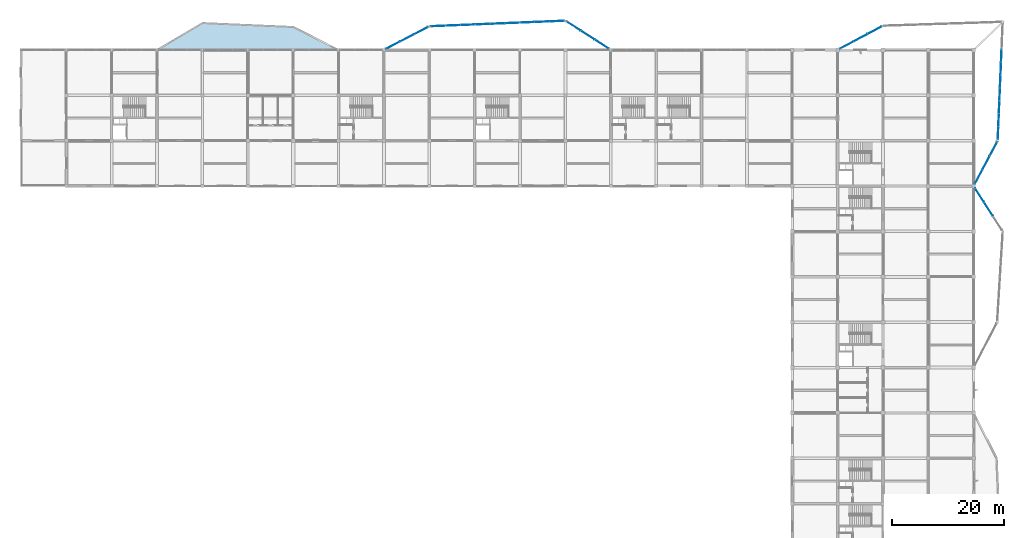
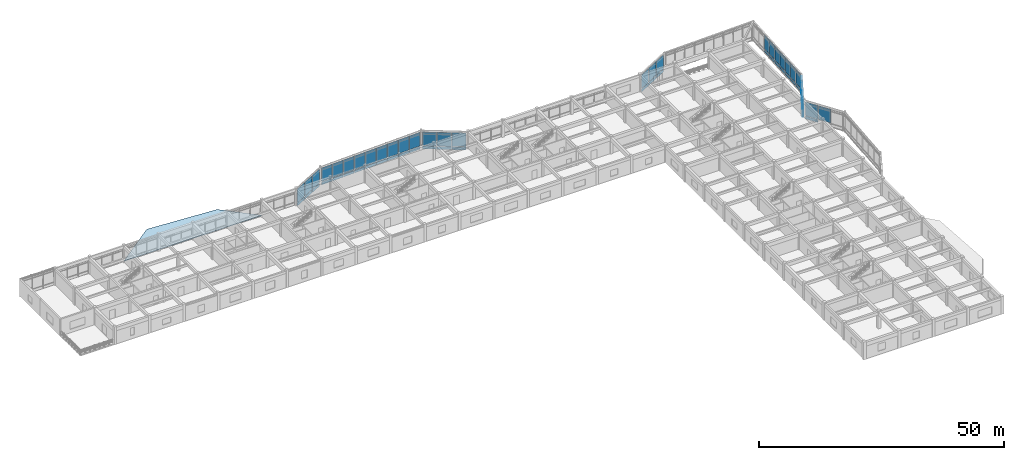
# One storey, part 25 of 42: 59 plates, 1 slab, 11 elements without a shape of their own.
"""IFC4 building model written with IfcOpenShell, lengths in metres."""

from ifc_helpers import new_model, si_unit, direction, frame, origin, origin_2d, place, context, subcontext, project, spatial, polyline, rectangle, outline, extrude, material, layer, layer_set, type_object, element, aggregate, save


model = new_model("IFC4")

# Units and contexts
model_context = context("Model", 3, precision=1e-05, world=origin(), true_north=direction((0.0, 1.0)))
body_context = subcontext(model_context, "Body", "Model", "MODEL_VIEW")
ifc_project = project(units=[si_unit("LENGTHUNIT", "METRE"), si_unit("AREAUNIT", "SQUARE_METRE"), si_unit("VOLUMEUNIT", "CUBIC_METRE"), si_unit("PLANEANGLEUNIT", "RADIAN"), si_unit("MASSUNIT", "GRAM", prefix="KILO")], contexts=[model_context])

# Site, building, storey
site_placement = place(None, origin())
site = spatial("IfcSite", under=ifc_project, at=site_placement, CompositionType="ELEMENT")
building_placement = place(site_placement, origin())
building = spatial("IfcBuilding", under=site, at=building_placement, Name="Vaudrelin Polytechnic", CompositionType="ELEMENT")
storey_placement = place(building_placement, frame((0.0, 0.0, 18.530029296875)))
storey = spatial("IfcBuildingStorey", under=building, at=storey_placement, Name="L04", CompositionType="ELEMENT", Elevation=18.530029296875)

# Curtain wall, plates
ifc_material_1 = material(Name="Thermally broken anodised aluminium AA 6063-T6 and low-e triple glazing", Category="aluminium")
ifc_layer_1 = layer(ifc_material_1, 0.199951171875)
ifc_layer_set_1 = layer_set([ifc_layer_1], Name="Thermally broken anodised aluminium AA 6063-T6 and low-e triple glazing")
curtain_wall_type_1 = type_object("IfcCurtainWallType", Name="CW-CW-LAB", PredefinedType="USERDEFINED", material=ifc_layer_set_1)
curtain_wall_1_placement = place(storey_placement, origin())
curtain_wall_1 = element("IfcCurtainWall", 1, at=curtain_wall_1_placement, inside=storey, type_object=curtain_wall_type_1, Name="Curtain wall L04 NEP_1_0", ObjectType="CURTAIN WALL", PredefinedType="USERDEFINED")
ifc_material_2 = material(Name="Insulated ceramic-frit spandrel glass panel", Category="glass")
ifc_layer_2 = layer(ifc_material_2, 0.052001953125)
ifc_layer_set_2 = layer_set([ifc_layer_2], Name="Insulated ceramic-frit spandrel glass panel")
plate_type_1 = type_object("IfcPlateType", Name="PLT-GLZ-SPAND", PredefinedType="CURTAIN_PANEL", material=ifc_layer_set_2)
plate_1_placement = place(storey_placement, frame((147.445556640625, 122.37353515625, -0.5400390625), z_axis=(0.0, 0.0, 1.0), x_axis=(0.883255715395, 0.468891609246, 0.0)))
plate_1 = element("IfcPlate", 2, at=plate_1_placement, type_object=plate_type_1, Name="NEP_1_0 spandrel panel 1", PredefinedType="CURTAIN_PANEL", context=body_context, shape_type="SweptSolid", body=[
    extrude(rectangle(XDim=2.719970703125, YDim=0.052001953125, at=origin_2d()), origin(), (0.0, 0.0, 1.0), 0.699951171875),
])
plate_2_placement = place(storey_placement, frame((149.936279296875, 123.69580078125, -0.5400390625), z_axis=(0.0, 0.0, 1.0), x_axis=(0.883255715395, 0.468891609246, 0.0)))
plate_2 = element("IfcPlate", 3, at=plate_2_placement, type_object=plate_type_1, Name="NEP_1_0 spandrel panel 2", PredefinedType="CURTAIN_PANEL", context=body_context, shape_type="SweptSolid", body=[
    extrude(rectangle(XDim=2.719970703125, YDim=0.052001953125, at=origin_2d()), origin(), (0.0, 0.0, 1.0), 0.699951171875),
])
plate_3_placement = place(storey_placement, frame((152.427001953125, 125.01806640625, -0.5400390625), z_axis=(0.0, 0.0, 1.0), x_axis=(0.883255715395, 0.468891609246, 0.0)))
plate_3 = element("IfcPlate", 4, at=plate_3_placement, type_object=plate_type_1, Name="NEP_1_0 spandrel panel 3", PredefinedType="CURTAIN_PANEL", context=body_context, shape_type="SweptSolid", body=[
    extrude(rectangle(XDim=2.719970703125, YDim=0.052001953125, at=origin_2d()), origin(), (0.0, 0.0, 1.0), 0.699951171875),
])

# Curtain wall, plate
curtain_wall_2_placement = place(storey_placement, origin())
curtain_wall_2 = element("IfcCurtainWall", 5, at=curtain_wall_2_placement, inside=storey, type_object=curtain_wall_type_1, Name="Curtain wall L04 NEP_3_0", ObjectType="CURTAIN WALL", PredefinedType="USERDEFINED")
plate_4_placement = place(storey_placement, frame((175.0439453125, 120.468994140625, -0.5400390625), z_axis=(0.0, 0.0, 1.0), x_axis=(-0.042419882824, -0.999099871655, 0.0)))
plate_4 = element("IfcPlate", 6, at=plate_4_placement, type_object=plate_type_1, Name="NEP_3_0 spandrel panel 3", PredefinedType="CURTAIN_PANEL", context=body_context, shape_type="SweptSolid", body=[
    extrude(rectangle(XDim=2.19921875, YDim=0.052001953125, at=origin_2d()), origin(), (0.0, 0.0, 1.0), 0.699951171875),
])

# Curtain wall, plates
curtain_wall_3_placement = place(storey_placement, origin())
curtain_wall_3 = element("IfcCurtainWall", 7, at=curtain_wall_3_placement, inside=storey, type_object=curtain_wall_type_1, Name="Curtain wall L04 NEP_3_1", ObjectType="CURTAIN WALL", PredefinedType="USERDEFINED")
plate_5_placement = place(storey_placement, frame((174.9462890625, 118.171875, -0.5400390625), z_axis=(0.0, 0.0, 1.0), x_axis=(-0.042405411318, -0.999100485983, 0.0)))
plate_5 = element("IfcPlate", 8, at=plate_5_placement, type_object=plate_type_1, Name="NEP_3_1 spandrel panel 1", PredefinedType="CURTAIN_PANEL", context=body_context, shape_type="SweptSolid", body=[
    extrude(rectangle(XDim=2.19921875, YDim=0.052001953125, at=origin_2d()), origin(), (0.0, 0.0, 1.0), 0.699951171875),
])
plate_6_placement = place(storey_placement, frame((174.84912109375, 115.874755859375, -0.5400390625), z_axis=(0.0, 0.0, 1.0), x_axis=(-0.042405411318, -0.999100485983, 0.0)))
plate_6 = element("IfcPlate", 9, at=plate_6_placement, type_object=plate_type_1, Name="NEP_3_1 spandrel panel 2", PredefinedType="CURTAIN_PANEL", context=body_context, shape_type="SweptSolid", body=[
    extrude(rectangle(XDim=2.19921875, YDim=0.052001953125, at=origin_2d()), origin(), (0.0, 0.0, 1.0), 0.699951171875),
])
plate_7_placement = place(storey_placement, frame((174.75146484375, 113.577392578125, -0.5400390625), z_axis=(0.0, 0.0, 1.0), x_axis=(-0.042405411318, -0.999100485983, 0.0)))
plate_7 = element("IfcPlate", 10, at=plate_7_placement, type_object=plate_type_1, Name="NEP_3_1 spandrel panel 3", PredefinedType="CURTAIN_PANEL", context=body_context, shape_type="SweptSolid", body=[
    extrude(rectangle(XDim=2.19921875, YDim=0.052001953125, at=origin_2d()), origin(), (0.0, 0.0, 1.0), 0.699951171875),
])

curtain_wall_4_placement = place(storey_placement, origin())
curtain_wall_4 = element("IfcCurtainWall", 11, at=curtain_wall_4_placement, inside=storey, type_object=curtain_wall_type_1, Name="Curtain wall L04 NEP_3_2", ObjectType="CURTAIN WALL", PredefinedType="USERDEFINED")
plate_8_placement = place(storey_placement, frame((174.65380859375, 111.2802734375, -0.5400390625), z_axis=(0.0, 0.0, 1.0), x_axis=(-0.042419882824, -0.999099871655, 0.0)))
plate_8 = element("IfcPlate", 12, at=plate_8_placement, type_object=plate_type_1, Name="NEP_3_2 spandrel panel 1", PredefinedType="CURTAIN_PANEL", context=body_context, shape_type="SweptSolid", body=[
    extrude(rectangle(XDim=2.19921875, YDim=0.052001953125, at=origin_2d()), origin(), (0.0, 0.0, 1.0), 0.699951171875),
])
plate_9_placement = place(storey_placement, frame((174.556396484375, 108.983154296875, -0.5400390625), z_axis=(0.0, 0.0, 1.0), x_axis=(-0.042419882824, -0.999099871655, 0.0)))
plate_9 = element("IfcPlate", 13, at=plate_9_placement, type_object=plate_type_1, Name="NEP_3_2 spandrel panel 2", PredefinedType="CURTAIN_PANEL", context=body_context, shape_type="SweptSolid", body=[
    extrude(rectangle(XDim=2.19921875, YDim=0.052001953125, at=origin_2d()), origin(), (0.0, 0.0, 1.0), 0.699951171875),
])
plate_10_placement = place(storey_placement, frame((174.458984375, 106.68603515625, -0.5400390625), z_axis=(0.0, 0.0, 1.0), x_axis=(-0.042419882824, -0.999099871655, 0.0)))
plate_10 = element("IfcPlate", 14, at=plate_10_placement, type_object=plate_type_1, Name="NEP_3_2 spandrel panel 3", PredefinedType="CURTAIN_PANEL", context=body_context, shape_type="SweptSolid", body=[
    extrude(rectangle(XDim=2.19921875, YDim=0.052001953125, at=origin_2d()), origin(), (0.0, 0.0, 1.0), 0.699951171875),
])

curtain_wall_5_placement = place(storey_placement, origin())
curtain_wall_5 = element("IfcCurtainWall", 15, at=curtain_wall_5_placement, inside=storey, type_object=curtain_wall_type_1, Name="Curtain wall L04 NEP_4_0", ObjectType="CURTAIN WALL", PredefinedType="USERDEFINED")
plate_11_placement = place(storey_placement, frame((173.6181640625, 103.826904296875, -0.5400390625), z_axis=(0.0, 0.0, 1.0), x_axis=(-0.468891609246, -0.883255715395, 0.0)))
plate_11 = element("IfcPlate", 16, at=plate_11_placement, type_object=plate_type_1, Name="NEP_4_0 spandrel panel 1", PredefinedType="CURTAIN_PANEL", context=body_context, shape_type="SweptSolid", body=[
    extrude(rectangle(XDim=2.719970703125, YDim=0.052001953125, at=origin_2d()), origin(), (0.0, 0.0, 1.0), 0.699951171875),
])
plate_12_placement = place(storey_placement, frame((172.2958984375, 101.336181640625, -0.5400390625), z_axis=(0.0, 0.0, 1.0), x_axis=(-0.468891609246, -0.883255715395, 0.0)))
plate_12 = element("IfcPlate", 17, at=plate_12_placement, type_object=plate_type_1, Name="NEP_4_0 spandrel panel 2", PredefinedType="CURTAIN_PANEL", context=body_context, shape_type="SweptSolid", body=[
    extrude(rectangle(XDim=2.719970703125, YDim=0.052001953125, at=origin_2d()), origin(), (0.0, 0.0, 1.0), 0.699951171875),
])
plate_13_placement = place(storey_placement, frame((170.973388671875, 98.845458984375, -0.5400390625), z_axis=(0.0, 0.0, 1.0), x_axis=(-0.468891609246, -0.883255715395, 0.0)))
plate_13 = element("IfcPlate", 18, at=plate_13_placement, type_object=plate_type_1, Name="NEP_4_0 spandrel panel 3", PredefinedType="CURTAIN_PANEL", context=body_context, shape_type="SweptSolid", body=[
    extrude(rectangle(XDim=2.719970703125, YDim=0.052001953125, at=origin_2d()), origin(), (0.0, 0.0, 1.0), 0.699951171875),
])

ifc_layer_3 = layer(ifc_material_1, 0.199951171875)
ifc_layer_set_3 = layer_set([ifc_layer_3], Name="Thermally broken anodised aluminium AA 6063-T6 and low-e triple glazing")
curtain_wall_type_2 = type_object("IfcCurtainWallType", Name="CW-CW-STU", PredefinedType="USERDEFINED", material=ifc_layer_set_3)
curtain_wall_6_placement = place(storey_placement, origin())
curtain_wall_6 = element("IfcCurtainWall", 19, at=curtain_wall_6_placement, inside=storey, type_object=curtain_wall_type_2, Name="Curtain wall L04 N_OR2_1_0", ObjectType="CURTAIN WALL", PredefinedType="USERDEFINED")
plate_14_placement = place(storey_placement, frame((66.404052734375, 122.331787109375, -0.5400390625), z_axis=(0.0, 0.0, 1.0), x_axis=(0.887751494589, 0.460323021208, 0.0)))
plate_14 = element("IfcPlate", 20, at=plate_14_placement, type_object=plate_type_1, Name="N_OR2_1_0 spandrel panel 1", PredefinedType="CURTAIN_PANEL", context=body_context, shape_type="SweptSolid", body=[
    extrude(rectangle(XDim=2.72412109375, YDim=0.052001953125, at=origin_2d()), origin(), (0.0, 0.0, 1.0), 0.699951171875),
])
plate_15_placement = place(storey_placement, frame((68.9111328125, 123.6318359375, -0.5400390625), z_axis=(0.0, 0.0, 1.0), x_axis=(0.887751494589, 0.460323021208, 0.0)))
plate_15 = element("IfcPlate", 21, at=plate_15_placement, type_object=plate_type_1, Name="N_OR2_1_0 spandrel panel 2", PredefinedType="CURTAIN_PANEL", context=body_context, shape_type="SweptSolid", body=[
    extrude(rectangle(XDim=2.72412109375, YDim=0.052001953125, at=origin_2d()), origin(), (0.0, 0.0, 1.0), 0.699951171875),
])
plate_16_placement = place(storey_placement, frame((71.41845703125, 124.931884765625, -0.5400390625), z_axis=(0.0, 0.0, 1.0), x_axis=(0.887751494589, 0.460323021208, 0.0)))
plate_16 = element("IfcPlate", 22, at=plate_16_placement, type_object=plate_type_1, Name="N_OR2_1_0 spandrel panel 3", PredefinedType="CURTAIN_PANEL", context=body_context, shape_type="SweptSolid", body=[
    extrude(rectangle(XDim=2.72412109375, YDim=0.052001953125, at=origin_2d()), origin(), (0.0, 0.0, 1.0), 0.699951171875),
])

curtain_wall_7_placement = place(storey_placement, origin())
curtain_wall_7 = element("IfcCurtainWall", 23, at=curtain_wall_7_placement, inside=storey, type_object=curtain_wall_type_2, Name="Curtain wall L04 N_OR2_2_0", ObjectType="CURTAIN WALL", PredefinedType="USERDEFINED")
plate_17_placement = place(storey_placement, frame((74.4609375, 125.764404296875, -0.5400390625), z_axis=(0.0, 0.0, 1.0), x_axis=(0.999154417424, 0.041115084128, 0.0)))
plate_17 = element("IfcPlate", 24, at=plate_17_placement, type_object=plate_type_1, Name="N_OR2_2_0 spandrel panel 1", PredefinedType="CURTAIN_PANEL", context=body_context, shape_type="SweptSolid", body=[
    extrude(rectangle(XDim=2.549560546875, YDim=0.052001953125, at=origin_2d()), origin(), (0.0, 0.0, 1.0), 0.699951171875),
])
plate_18_placement = place(storey_placement, frame((77.108154296875, 125.873291015625, -0.5400390625), z_axis=(0.0, 0.0, 1.0), x_axis=(0.999154417424, 0.041115084128, 0.0)))
plate_18 = element("IfcPlate", 25, at=plate_18_placement, type_object=plate_type_1, Name="N_OR2_2_0 spandrel panel 2", PredefinedType="CURTAIN_PANEL", context=body_context, shape_type="SweptSolid", body=[
    extrude(rectangle(XDim=2.549560546875, YDim=0.052001953125, at=origin_2d()), origin(), (0.0, 0.0, 1.0), 0.699951171875),
])
plate_19_placement = place(storey_placement, frame((79.755615234375, 125.982177734375, -0.5400390625), z_axis=(0.0, 0.0, 1.0), x_axis=(0.999154417424, 0.041115084128, 0.0)))
plate_19 = element("IfcPlate", 26, at=plate_19_placement, type_object=plate_type_1, Name="N_OR2_2_0 spandrel panel 3", PredefinedType="CURTAIN_PANEL", context=body_context, shape_type="SweptSolid", body=[
    extrude(rectangle(XDim=2.549560546875, YDim=0.052001953125, at=origin_2d()), origin(), (0.0, 0.0, 1.0), 0.699951171875),
])

curtain_wall_8_placement = place(storey_placement, origin())
curtain_wall_8 = element("IfcCurtainWall", 27, at=curtain_wall_8_placement, inside=storey, type_object=curtain_wall_type_2, Name="Curtain wall L04 N_OR2_2_1", ObjectType="CURTAIN WALL", PredefinedType="USERDEFINED")
plate_20_placement = place(storey_placement, frame((82.402587890625, 126.091064453125, -0.5400390625), z_axis=(0.0, 0.0, 1.0), x_axis=(0.999154438691, 0.041114567302, 0.0)))
plate_20 = element("IfcPlate", 28, at=plate_20_placement, type_object=plate_type_1, Name="N_OR2_2_1 spandrel panel 1", PredefinedType="CURTAIN_PANEL", context=body_context, shape_type="SweptSolid", body=[
    extrude(rectangle(XDim=2.549560546875, YDim=0.052001953125, at=origin_2d()), origin(), (0.0, 0.0, 1.0), 0.699951171875),
])
plate_21_placement = place(storey_placement, frame((85.050048828125, 126.199951171875, -0.5400390625), z_axis=(0.0, 0.0, 1.0), x_axis=(0.999154438691, 0.041114567302, 0.0)))
plate_21 = element("IfcPlate", 29, at=plate_21_placement, type_object=plate_type_1, Name="N_OR2_2_1 spandrel panel 2", PredefinedType="CURTAIN_PANEL", context=body_context, shape_type="SweptSolid", body=[
    extrude(rectangle(XDim=2.549560546875, YDim=0.052001953125, at=origin_2d()), origin(), (0.0, 0.0, 1.0), 0.699951171875),
])
plate_22_placement = place(storey_placement, frame((87.697265625, 126.308837890625, -0.5400390625), z_axis=(0.0, 0.0, 1.0), x_axis=(0.999154438691, 0.041114567302, 0.0)))
plate_22 = element("IfcPlate", 30, at=plate_22_placement, type_object=plate_type_1, Name="N_OR2_2_1 spandrel panel 3", PredefinedType="CURTAIN_PANEL", context=body_context, shape_type="SweptSolid", body=[
    extrude(rectangle(XDim=2.549560546875, YDim=0.052001953125, at=origin_2d()), origin(), (0.0, 0.0, 1.0), 0.699951171875),
])

curtain_wall_9_placement = place(storey_placement, origin())
curtain_wall_9 = element("IfcCurtainWall", 31, at=curtain_wall_9_placement, inside=storey, type_object=curtain_wall_type_2, Name="Curtain wall L04 N_OR2_2_2", ObjectType="CURTAIN WALL", PredefinedType="USERDEFINED")
plate_23_placement = place(storey_placement, frame((90.344482421875, 126.41796875, -0.5400390625), z_axis=(0.0, 0.0, 1.0), x_axis=(0.999154417424, 0.041115084128, 0.0)))
plate_23 = element("IfcPlate", 32, at=plate_23_placement, type_object=plate_type_1, Name="N_OR2_2_2 spandrel panel 1", PredefinedType="CURTAIN_PANEL", context=body_context, shape_type="SweptSolid", body=[
    extrude(rectangle(XDim=2.549560546875, YDim=0.052001953125, at=origin_2d()), origin(), (0.0, 0.0, 1.0), 0.699951171875),
])
plate_24_placement = place(storey_placement, frame((92.99169921875, 126.52685546875, -0.5400390625), z_axis=(0.0, 0.0, 1.0), x_axis=(0.999154417424, 0.041115084128, 0.0)))
plate_24 = element("IfcPlate", 33, at=plate_24_placement, type_object=plate_type_1, Name="N_OR2_2_2 spandrel panel 2", PredefinedType="CURTAIN_PANEL", context=body_context, shape_type="SweptSolid", body=[
    extrude(rectangle(XDim=2.549560546875, YDim=0.052001953125, at=origin_2d()), origin(), (0.0, 0.0, 1.0), 0.699951171875),
])
plate_25_placement = place(storey_placement, frame((95.638916015625, 126.6357421875, -0.5400390625), z_axis=(0.0, 0.0, 1.0), x_axis=(0.999154417424, 0.041115084128, 0.0)))
plate_25 = element("IfcPlate", 34, at=plate_25_placement, type_object=plate_type_1, Name="N_OR2_2_2 spandrel panel 3", PredefinedType="CURTAIN_PANEL", context=body_context, shape_type="SweptSolid", body=[
    extrude(rectangle(XDim=2.549560546875, YDim=0.052001953125, at=origin_2d()), origin(), (0.0, 0.0, 1.0), 0.699951171875),
])

curtain_wall_10_placement = place(storey_placement, origin())
curtain_wall_10 = element("IfcCurtainWall", 35, at=curtain_wall_10_placement, inside=storey, type_object=curtain_wall_type_2, Name="Curtain wall L04 N_OR2_3_0", ObjectType="CURTAIN WALL", PredefinedType="USERDEFINED")
plate_26_placement = place(storey_placement, frame((98.678955078125, 125.75048828125, -0.5400390625), z_axis=(0.0, 0.0, 1.0), x_axis=(0.841518560242, -0.540228204344, 0.0)))
plate_26 = element("IfcPlate", 36, at=plate_26_placement, type_object=plate_type_1, Name="N_OR2_3_0 spandrel panel 1", PredefinedType="CURTAIN_PANEL", context=body_context, shape_type="SweptSolid", body=[
    extrude(rectangle(XDim=2.882568359375, YDim=0.052001953125, at=origin_2d()), origin(), (0.0, 0.0, 1.0), 0.699951171875),
])
plate_27_placement = place(storey_placement, frame((101.188720703125, 124.139404296875, -0.5400390625), z_axis=(0.0, 0.0, 1.0), x_axis=(0.841518560242, -0.540228204344, 0.0)))
plate_27 = element("IfcPlate", 37, at=plate_27_placement, type_object=plate_type_1, Name="N_OR2_3_0 spandrel panel 2", PredefinedType="CURTAIN_PANEL", context=body_context, shape_type="SweptSolid", body=[
    extrude(rectangle(XDim=2.882568359375, YDim=0.052001953125, at=origin_2d()), origin(), (0.0, 0.0, 1.0), 0.699951171875),
])
plate_28_placement = place(storey_placement, frame((103.698486328125, 122.528076171875, -0.5400390625), z_axis=(0.0, 0.0, 1.0), x_axis=(0.841518560242, -0.540228204344, 0.0)))
plate_28 = element("IfcPlate", 38, at=plate_28_placement, type_object=plate_type_1, Name="N_OR2_3_0 spandrel panel 3", PredefinedType="CURTAIN_PANEL", context=body_context, shape_type="SweptSolid", body=[
    extrude(rectangle(XDim=2.882568359375, YDim=0.052001953125, at=origin_2d()), origin(), (0.0, 0.0, 1.0), 0.699951171875),
])

# Curtain wall, plate
curtain_wall_11_placement = place(storey_placement, origin())
curtain_wall_11 = element("IfcCurtainWall", 39, at=curtain_wall_11_placement, inside=storey, type_object=curtain_wall_type_1, Name="Curtain wall L04 E_OR2_3_0", ObjectType="CURTAIN WALL", PredefinedType="USERDEFINED")
plate_29_placement = place(storey_placement, frame((171.15478515625, 95.556884765625, -0.5400390625), z_axis=(0.0, 0.0, 1.0), x_axis=(-0.540228077901, 0.841518641414, 0.0)))
plate_29 = element("IfcPlate", 40, at=plate_29_placement, type_object=plate_type_1, Name="E_OR2_3_0 spandrel panel 3", PredefinedType="CURTAIN_PANEL", context=body_context, shape_type="SweptSolid", body=[
    extrude(rectangle(XDim=2.86279296875, YDim=0.052001953125, at=origin_2d()), origin(), (0.0, 0.0, 1.0), 0.699951171875),
])

# Plate
ifc_material_3 = material(Name="Triple low-e argon insulated glazing unit", Category="glass")
ifc_layer_4 = layer(ifc_material_3, 0.0439453125)
ifc_layer_set_4 = layer_set([ifc_layer_4], Name="Triple low-e argon insulated glazing unit")
plate_type_2 = type_object("IfcPlateType", Name="PLT-GLZ-TRIPLE", PredefinedType="CURTAIN_PANEL", material=ifc_layer_set_4)
plate_30_placement = place(storey_placement, frame((147.445556640625, 122.37353515625, 0.27001953125), z_axis=(0.0, 0.0, 1.0), x_axis=(0.883255715395, 0.468891609246, 0.0)))
plate_30 = element("IfcPlate", 41, at=plate_30_placement, type_object=plate_type_2, Name="NEP_1_0 vision panel 1", PredefinedType="CURTAIN_PANEL", context=body_context, shape_type="SweptSolid", body=[
    extrude(rectangle(XDim=2.719970703125, YDim=0.0439453125, at=origin_2d()), origin(), (0.0, 0.0, 1.0), 3.43994140625),
])

plate_31_placement = place(storey_placement, frame((149.936279296875, 123.69580078125, 0.27001953125), z_axis=(0.0, 0.0, 1.0), x_axis=(0.883255715395, 0.468891609246, 0.0)))
plate_31 = element("IfcPlate", 42, at=plate_31_placement, type_object=plate_type_2, Name="NEP_1_0 vision panel 2", PredefinedType="CURTAIN_PANEL", context=body_context, shape_type="SweptSolid", body=[
    extrude(rectangle(XDim=2.719970703125, YDim=0.0439453125, at=origin_2d()), origin(), (0.0, 0.0, 1.0), 3.43994140625),
])

plate_32_placement = place(storey_placement, frame((152.427001953125, 125.01806640625, 0.27001953125), z_axis=(0.0, 0.0, 1.0), x_axis=(0.883255715395, 0.468891609246, 0.0)))
plate_32 = element("IfcPlate", 43, at=plate_32_placement, type_object=plate_type_2, Name="NEP_1_0 vision panel 3", PredefinedType="CURTAIN_PANEL", context=body_context, shape_type="SweptSolid", body=[
    extrude(rectangle(XDim=2.719970703125, YDim=0.0439453125, at=origin_2d()), origin(), (0.0, 0.0, 1.0), 3.43994140625),
])

aggregate(curtain_wall_1, [plate_1, plate_30, plate_2, plate_31, plate_3, plate_32])

plate_33_placement = place(storey_placement, frame((175.0439453125, 120.468994140625, 0.27001953125), z_axis=(0.0, 0.0, 1.0), x_axis=(-0.042419882824, -0.999099871655, 0.0)))
plate_33 = element("IfcPlate", 44, at=plate_33_placement, type_object=plate_type_2, Name="NEP_3_0 vision panel 3", PredefinedType="CURTAIN_PANEL", context=body_context, shape_type="SweptSolid", body=[
    extrude(rectangle(XDim=2.19921875, YDim=0.0439453125, at=origin_2d()), origin(), (0.0, 0.0, 1.0), 3.43994140625),
])

aggregate(curtain_wall_2, [plate_4, plate_33])

plate_34_placement = place(storey_placement, frame((174.9462890625, 118.171875, 0.27001953125), z_axis=(0.0, 0.0, 1.0), x_axis=(-0.042405411318, -0.999100485983, 0.0)))
plate_34 = element("IfcPlate", 45, at=plate_34_placement, type_object=plate_type_2, Name="NEP_3_1 vision panel 1", PredefinedType="CURTAIN_PANEL", context=body_context, shape_type="SweptSolid", body=[
    extrude(rectangle(XDim=2.19921875, YDim=0.0439453125, at=origin_2d()), origin(), (0.0, 0.0, 1.0), 3.43994140625),
])

plate_35_placement = place(storey_placement, frame((174.84912109375, 115.874755859375, 0.27001953125), z_axis=(0.0, 0.0, 1.0), x_axis=(-0.042405411318, -0.999100485983, 0.0)))
plate_35 = element("IfcPlate", 46, at=plate_35_placement, type_object=plate_type_2, Name="NEP_3_1 vision panel 2", PredefinedType="CURTAIN_PANEL", context=body_context, shape_type="SweptSolid", body=[
    extrude(rectangle(XDim=2.19921875, YDim=0.0439453125, at=origin_2d()), origin(), (0.0, 0.0, 1.0), 3.43994140625),
])

plate_36_placement = place(storey_placement, frame((174.75146484375, 113.577392578125, 0.27001953125), z_axis=(0.0, 0.0, 1.0), x_axis=(-0.042405411318, -0.999100485983, 0.0)))
plate_36 = element("IfcPlate", 47, at=plate_36_placement, type_object=plate_type_2, Name="NEP_3_1 vision panel 3", PredefinedType="CURTAIN_PANEL", context=body_context, shape_type="SweptSolid", body=[
    extrude(rectangle(XDim=2.19921875, YDim=0.0439453125, at=origin_2d()), origin(), (0.0, 0.0, 1.0), 3.43994140625),
])

aggregate(curtain_wall_3, [plate_5, plate_34, plate_6, plate_35, plate_7, plate_36])

plate_37_placement = place(storey_placement, frame((174.65380859375, 111.2802734375, 0.27001953125), z_axis=(0.0, 0.0, 1.0), x_axis=(-0.042419882824, -0.999099871655, 0.0)))
plate_37 = element("IfcPlate", 48, at=plate_37_placement, type_object=plate_type_2, Name="NEP_3_2 vision panel 1", PredefinedType="CURTAIN_PANEL", context=body_context, shape_type="SweptSolid", body=[
    extrude(rectangle(XDim=2.19921875, YDim=0.0439453125, at=origin_2d()), origin(), (0.0, 0.0, 1.0), 3.43994140625),
])

plate_38_placement = place(storey_placement, frame((174.556396484375, 108.983154296875, 0.27001953125), z_axis=(0.0, 0.0, 1.0), x_axis=(-0.042419882824, -0.999099871655, 0.0)))
plate_38 = element("IfcPlate", 49, at=plate_38_placement, type_object=plate_type_2, Name="NEP_3_2 vision panel 2", PredefinedType="CURTAIN_PANEL", context=body_context, shape_type="SweptSolid", body=[
    extrude(rectangle(XDim=2.19921875, YDim=0.0439453125, at=origin_2d()), origin(), (0.0, 0.0, 1.0), 3.43994140625),
])

plate_39_placement = place(storey_placement, frame((174.458984375, 106.68603515625, 0.27001953125), z_axis=(0.0, 0.0, 1.0), x_axis=(-0.042419882824, -0.999099871655, 0.0)))
plate_39 = element("IfcPlate", 50, at=plate_39_placement, type_object=plate_type_2, Name="NEP_3_2 vision panel 3", PredefinedType="CURTAIN_PANEL", context=body_context, shape_type="SweptSolid", body=[
    extrude(rectangle(XDim=2.19921875, YDim=0.0439453125, at=origin_2d()), origin(), (0.0, 0.0, 1.0), 3.43994140625),
])

aggregate(curtain_wall_4, [plate_8, plate_37, plate_9, plate_38, plate_10, plate_39])

plate_40_placement = place(storey_placement, frame((173.6181640625, 103.826904296875, 0.27001953125), z_axis=(0.0, 0.0, 1.0), x_axis=(-0.468891609246, -0.883255715395, 0.0)))
plate_40 = element("IfcPlate", 51, at=plate_40_placement, type_object=plate_type_2, Name="NEP_4_0 vision panel 1", PredefinedType="CURTAIN_PANEL", context=body_context, shape_type="SweptSolid", body=[
    extrude(rectangle(XDim=2.719970703125, YDim=0.0439453125, at=origin_2d()), origin(), (0.0, 0.0, 1.0), 3.43994140625),
])

plate_41_placement = place(storey_placement, frame((172.2958984375, 101.336181640625, 0.27001953125), z_axis=(0.0, 0.0, 1.0), x_axis=(-0.468891609246, -0.883255715395, 0.0)))
plate_41 = element("IfcPlate", 52, at=plate_41_placement, type_object=plate_type_2, Name="NEP_4_0 vision panel 2", PredefinedType="CURTAIN_PANEL", context=body_context, shape_type="SweptSolid", body=[
    extrude(rectangle(XDim=2.719970703125, YDim=0.0439453125, at=origin_2d()), origin(), (0.0, 0.0, 1.0), 3.43994140625),
])

plate_42_placement = place(storey_placement, frame((170.973388671875, 98.845458984375, 0.27001953125), z_axis=(0.0, 0.0, 1.0), x_axis=(-0.468891609246, -0.883255715395, 0.0)))
plate_42 = element("IfcPlate", 53, at=plate_42_placement, type_object=plate_type_2, Name="NEP_4_0 vision panel 3", PredefinedType="CURTAIN_PANEL", context=body_context, shape_type="SweptSolid", body=[
    extrude(rectangle(XDim=2.719970703125, YDim=0.0439453125, at=origin_2d()), origin(), (0.0, 0.0, 1.0), 3.43994140625),
])

aggregate(curtain_wall_5, [plate_11, plate_40, plate_12, plate_41, plate_13, plate_42])

plate_43_placement = place(storey_placement, frame((66.404052734375, 122.331787109375, 0.27001953125), z_axis=(0.0, 0.0, 1.0), x_axis=(0.887751494589, 0.460323021208, 0.0)))
plate_43 = element("IfcPlate", 54, at=plate_43_placement, type_object=plate_type_2, Name="N_OR2_1_0 vision panel 1", PredefinedType="CURTAIN_PANEL", context=body_context, shape_type="SweptSolid", body=[
    extrude(rectangle(XDim=2.72412109375, YDim=0.0439453125, at=origin_2d()), origin(), (0.0, 0.0, 1.0), 3.43994140625),
])

plate_44_placement = place(storey_placement, frame((68.9111328125, 123.6318359375, 0.27001953125), z_axis=(0.0, 0.0, 1.0), x_axis=(0.887751494589, 0.460323021208, 0.0)))
plate_44 = element("IfcPlate", 55, at=plate_44_placement, type_object=plate_type_2, Name="N_OR2_1_0 vision panel 2", PredefinedType="CURTAIN_PANEL", context=body_context, shape_type="SweptSolid", body=[
    extrude(rectangle(XDim=2.72412109375, YDim=0.0439453125, at=origin_2d()), origin(), (0.0, 0.0, 1.0), 3.43994140625),
])

plate_45_placement = place(storey_placement, frame((71.41845703125, 124.931884765625, 0.27001953125), z_axis=(0.0, 0.0, 1.0), x_axis=(0.887751494589, 0.460323021208, 0.0)))
plate_45 = element("IfcPlate", 56, at=plate_45_placement, type_object=plate_type_2, Name="N_OR2_1_0 vision panel 3", PredefinedType="CURTAIN_PANEL", context=body_context, shape_type="SweptSolid", body=[
    extrude(rectangle(XDim=2.72412109375, YDim=0.0439453125, at=origin_2d()), origin(), (0.0, 0.0, 1.0), 3.43994140625),
])

aggregate(curtain_wall_6, [plate_14, plate_43, plate_15, plate_44, plate_16, plate_45])

plate_46_placement = place(storey_placement, frame((74.4609375, 125.764404296875, 0.27001953125), z_axis=(0.0, 0.0, 1.0), x_axis=(0.999154417424, 0.041115084128, 0.0)))
plate_46 = element("IfcPlate", 57, at=plate_46_placement, type_object=plate_type_2, Name="N_OR2_2_0 vision panel 1", PredefinedType="CURTAIN_PANEL", context=body_context, shape_type="SweptSolid", body=[
    extrude(rectangle(XDim=2.549560546875, YDim=0.0439453125, at=origin_2d()), origin(), (0.0, 0.0, 1.0), 3.43994140625),
])

plate_47_placement = place(storey_placement, frame((77.108154296875, 125.873291015625, 0.27001953125), z_axis=(0.0, 0.0, 1.0), x_axis=(0.999154417424, 0.041115084128, 0.0)))
plate_47 = element("IfcPlate", 58, at=plate_47_placement, type_object=plate_type_2, Name="N_OR2_2_0 vision panel 2", PredefinedType="CURTAIN_PANEL", context=body_context, shape_type="SweptSolid", body=[
    extrude(rectangle(XDim=2.549560546875, YDim=0.0439453125, at=origin_2d()), origin(), (0.0, 0.0, 1.0), 3.43994140625),
])

plate_48_placement = place(storey_placement, frame((79.755615234375, 125.982177734375, 0.27001953125), z_axis=(0.0, 0.0, 1.0), x_axis=(0.999154417424, 0.041115084128, 0.0)))
plate_48 = element("IfcPlate", 59, at=plate_48_placement, type_object=plate_type_2, Name="N_OR2_2_0 vision panel 3", PredefinedType="CURTAIN_PANEL", context=body_context, shape_type="SweptSolid", body=[
    extrude(rectangle(XDim=2.549560546875, YDim=0.0439453125, at=origin_2d()), origin(), (0.0, 0.0, 1.0), 3.43994140625),
])

aggregate(curtain_wall_7, [plate_17, plate_46, plate_18, plate_47, plate_19, plate_48])

plate_49_placement = place(storey_placement, frame((82.402587890625, 126.091064453125, 0.27001953125), z_axis=(0.0, 0.0, 1.0), x_axis=(0.999154438691, 0.041114567302, 0.0)))
plate_49 = element("IfcPlate", 60, at=plate_49_placement, type_object=plate_type_2, Name="N_OR2_2_1 vision panel 1", PredefinedType="CURTAIN_PANEL", context=body_context, shape_type="SweptSolid", body=[
    extrude(rectangle(XDim=2.549560546875, YDim=0.0439453125, at=origin_2d()), origin(), (0.0, 0.0, 1.0), 3.43994140625),
])

plate_50_placement = place(storey_placement, frame((85.050048828125, 126.199951171875, 0.27001953125), z_axis=(0.0, 0.0, 1.0), x_axis=(0.999154438691, 0.041114567302, 0.0)))
plate_50 = element("IfcPlate", 61, at=plate_50_placement, type_object=plate_type_2, Name="N_OR2_2_1 vision panel 2", PredefinedType="CURTAIN_PANEL", context=body_context, shape_type="SweptSolid", body=[
    extrude(rectangle(XDim=2.549560546875, YDim=0.0439453125, at=origin_2d()), origin(), (0.0, 0.0, 1.0), 3.43994140625),
])

plate_51_placement = place(storey_placement, frame((87.697265625, 126.308837890625, 0.27001953125), z_axis=(0.0, 0.0, 1.0), x_axis=(0.999154438691, 0.041114567302, 0.0)))
plate_51 = element("IfcPlate", 62, at=plate_51_placement, type_object=plate_type_2, Name="N_OR2_2_1 vision panel 3", PredefinedType="CURTAIN_PANEL", context=body_context, shape_type="SweptSolid", body=[
    extrude(rectangle(XDim=2.549560546875, YDim=0.0439453125, at=origin_2d()), origin(), (0.0, 0.0, 1.0), 3.43994140625),
])

aggregate(curtain_wall_8, [plate_20, plate_49, plate_21, plate_50, plate_22, plate_51])

plate_52_placement = place(storey_placement, frame((90.344482421875, 126.41796875, 0.27001953125), z_axis=(0.0, 0.0, 1.0), x_axis=(0.999154417424, 0.041115084128, 0.0)))
plate_52 = element("IfcPlate", 63, at=plate_52_placement, type_object=plate_type_2, Name="N_OR2_2_2 vision panel 1", PredefinedType="CURTAIN_PANEL", context=body_context, shape_type="SweptSolid", body=[
    extrude(rectangle(XDim=2.549560546875, YDim=0.0439453125, at=origin_2d()), origin(), (0.0, 0.0, 1.0), 3.43994140625),
])

plate_53_placement = place(storey_placement, frame((92.99169921875, 126.52685546875, 0.27001953125), z_axis=(0.0, 0.0, 1.0), x_axis=(0.999154417424, 0.041115084128, 0.0)))
plate_53 = element("IfcPlate", 64, at=plate_53_placement, type_object=plate_type_2, Name="N_OR2_2_2 vision panel 2", PredefinedType="CURTAIN_PANEL", context=body_context, shape_type="SweptSolid", body=[
    extrude(rectangle(XDim=2.549560546875, YDim=0.0439453125, at=origin_2d()), origin(), (0.0, 0.0, 1.0), 3.43994140625),
])

plate_54_placement = place(storey_placement, frame((95.638916015625, 126.6357421875, 0.27001953125), z_axis=(0.0, 0.0, 1.0), x_axis=(0.999154417424, 0.041115084128, 0.0)))
plate_54 = element("IfcPlate", 65, at=plate_54_placement, type_object=plate_type_2, Name="N_OR2_2_2 vision panel 3", PredefinedType="CURTAIN_PANEL", context=body_context, shape_type="SweptSolid", body=[
    extrude(rectangle(XDim=2.549560546875, YDim=0.0439453125, at=origin_2d()), origin(), (0.0, 0.0, 1.0), 3.43994140625),
])

aggregate(curtain_wall_9, [plate_23, plate_52, plate_24, plate_53, plate_25, plate_54])

plate_55_placement = place(storey_placement, frame((98.678955078125, 125.75048828125, 0.27001953125), z_axis=(0.0, 0.0, 1.0), x_axis=(0.841518560242, -0.540228204344, 0.0)))
plate_55 = element("IfcPlate", 66, at=plate_55_placement, type_object=plate_type_2, Name="N_OR2_3_0 vision panel 1", PredefinedType="CURTAIN_PANEL", context=body_context, shape_type="SweptSolid", body=[
    extrude(rectangle(XDim=2.882568359375, YDim=0.0439453125, at=origin_2d()), origin(), (0.0, 0.0, 1.0), 3.43994140625),
])

plate_56_placement = place(storey_placement, frame((101.188720703125, 124.139404296875, 0.27001953125), z_axis=(0.0, 0.0, 1.0), x_axis=(0.841518560242, -0.540228204344, 0.0)))
plate_56 = element("IfcPlate", 67, at=plate_56_placement, type_object=plate_type_2, Name="N_OR2_3_0 vision panel 2", PredefinedType="CURTAIN_PANEL", context=body_context, shape_type="SweptSolid", body=[
    extrude(rectangle(XDim=2.882568359375, YDim=0.0439453125, at=origin_2d()), origin(), (0.0, 0.0, 1.0), 3.43994140625),
])

plate_57_placement = place(storey_placement, frame((103.698486328125, 122.528076171875, 0.27001953125), z_axis=(0.0, 0.0, 1.0), x_axis=(0.841518560242, -0.540228204344, 0.0)))
plate_57 = element("IfcPlate", 68, at=plate_57_placement, type_object=plate_type_2, Name="N_OR2_3_0 vision panel 3", PredefinedType="CURTAIN_PANEL", context=body_context, shape_type="SweptSolid", body=[
    extrude(rectangle(XDim=2.882568359375, YDim=0.0439453125, at=origin_2d()), origin(), (0.0, 0.0, 1.0), 3.43994140625),
])

aggregate(curtain_wall_10, [plate_26, plate_55, plate_27, plate_56, plate_28, plate_57])

plate_58_placement = place(storey_placement, frame((172.75537109375, 93.063720703125, 0.27001953125), z_axis=(0.0, 0.0, 1.0), x_axis=(-0.540228077901, 0.841518641414, 0.0)))
plate_58 = element("IfcPlate", 69, at=plate_58_placement, type_object=plate_type_2, Name="E_OR2_3_0 vision panel 2", PredefinedType="CURTAIN_PANEL", context=body_context, shape_type="SweptSolid", body=[
    extrude(rectangle(XDim=2.86279296875, YDim=0.0439453125, at=origin_2d()), origin(), (0.0, 0.0, 1.0), 3.43994140625),
])

plate_59_placement = place(storey_placement, frame((171.15478515625, 95.556884765625, 0.27001953125), z_axis=(0.0, 0.0, 1.0), x_axis=(-0.540228077901, 0.841518641414, 0.0)))
plate_59 = element("IfcPlate", 70, at=plate_59_placement, type_object=plate_type_2, Name="E_OR2_3_0 vision panel 3", PredefinedType="CURTAIN_PANEL", context=body_context, shape_type="SweptSolid", body=[
    extrude(rectangle(XDim=2.86279296875, YDim=0.0439453125, at=origin_2d()), origin(), (0.0, 0.0, 1.0), 3.43994140625),
])

aggregate(curtain_wall_11, [plate_58, plate_29, plate_59])

# Slab
ifc_material_4 = material(Name="Concrete 35 MPa", Category="concrete")
ifc_layer_5 = layer(ifc_material_4, 0.2451171875)
ifc_layer_set_5 = layer_set([ifc_layer_5], Name="Concrete 35 MPa")
slab_type = type_object("IfcSlabType", Name="SLB-SL-RF245", PredefinedType="ROOF", material=ifc_layer_set_5)
slab_placement = place(storey_placement, frame((24.300048828125, 121.5, 0.260009765625), z_axis=(-1.053656e-06, -0.400796421587, 0.916167140014), x_axis=(0.839656239909, 0.497586709935, 0.217680648836)))
element("IfcSlab", 71, at=slab_placement, inside=storey, type_object=slab_type, Name="Deconstructivist raked pod roof N_OR1", PredefinedType="ROOF", context=body_context, shape_type="SweptSolid", body=[
    extrude(outline(polyline([(0.0, 0.0), (9.646630526400608, -4.440892098500626e-16), (22.83429576672719, -9.440099288230842), (27.204780175372314, -17.59697722601927), (0.0, 0.0)])), origin(), (0.0, 0.0, -1.0), 0.2451171875),
])

save(model, "model.ifc")
